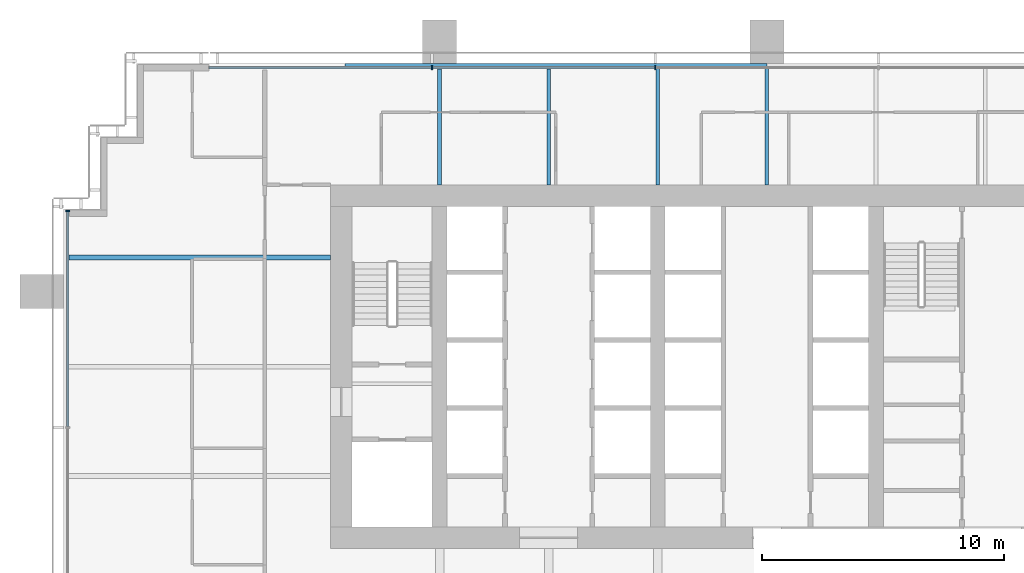
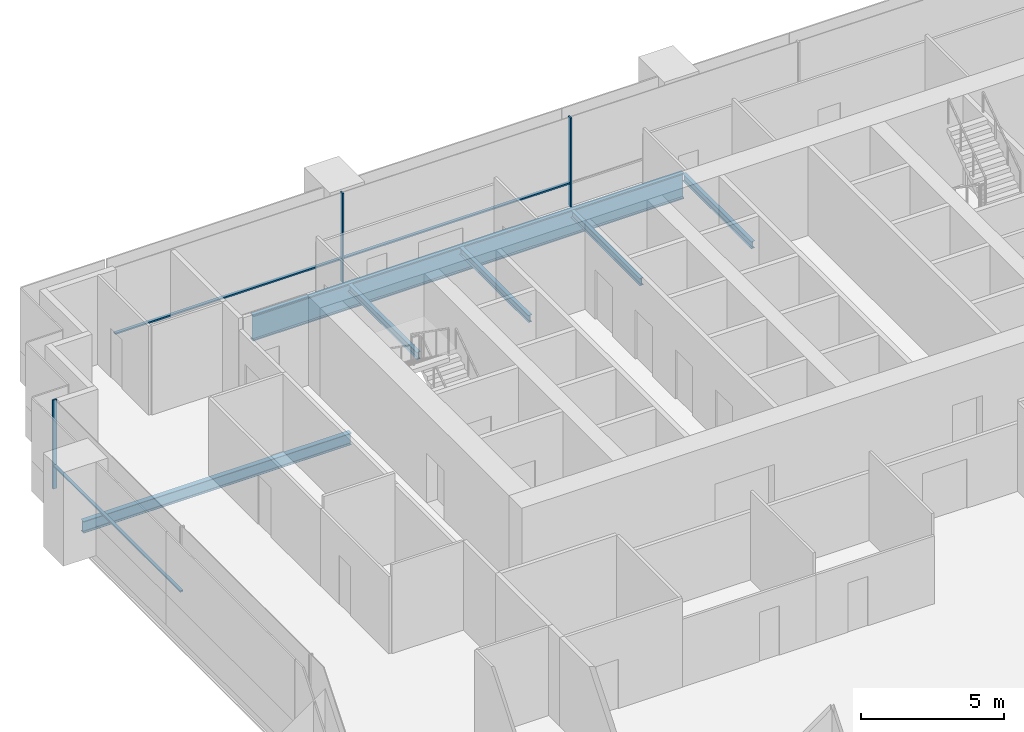
# One storey, part 7 of 18: 6 beams, 6 members, 2 elements without a shape of their own.
"""IFC4 building model written with IfcOpenShell, lengths in metres."""

import ifcopenshell
import ifcopenshell.guid

model = None  # the IFC model being written
_history = None  # IfcOwnerHistory: only IFC2X3 demands one
_inside = {}  # id of a spatial element -> (the spatial element, [elements in it])
_under = {}  # id of a project, library or spatial element -> (it, [spatial elements below it])
_declared = {}  # id of a project -> (the project, [libraries it declares])
_typed = {}  # id of a type object -> (the type object, [elements of that type])
_made_of = {}  # id of a material, layer set ... -> (it, [elements and type objects made of it])


def new_model(schema):
    """Start an empty IFC model of exactly this schema.

    Asked for "IFC4X3", IfcOpenShell would pick the latest addendum, in which some entities
    have other attributes; the version numbers below select the first issue.
    IFC2X3 requires an IfcOwnerHistory on every rooted entity: one is made here for all.
    """
    global model, _history
    if schema == "IFC4X3":
        model = ifcopenshell.file(schema_version=(4, 3, 0, 0))
    else:
        model = ifcopenshell.file(schema=schema)
    _inside.clear()
    _under.clear()
    _declared.clear()
    _typed.clear()
    _made_of.clear()
    _history = None
    if model.schema == "IFC2X3":
        org = make("IfcOrganization", Name="unknown")
        user = make(
            "IfcPersonAndOrganization",
            ThePerson=make("IfcPerson", FamilyName="unknown"),
            TheOrganization=org,
        )
        app = make(
            "IfcApplication",
            ApplicationDeveloper=org,
            Version="unknown",
            ApplicationFullName="unknown",
            ApplicationIdentifier="unknown",
        )
        _history = make(
            "IfcOwnerHistory",
            OwningUser=user,
            OwningApplication=app,
            ChangeAction="ADDED",
            CreationDate=0,
        )
    return model


def make(cls, **values):
    """One entity of the class cls with the attributes given. An attribute that is None is left unset."""
    return model.create_entity(
        cls, **{name: value for name, value in values.items() if value is not None}
    )


def rooted(cls, **values):
    """An entity with a GlobalId (a new one), such as an element, a storey or a relation."""
    return make(cls, GlobalId=ifcopenshell.guid.new(), OwnerHistory=_history, **values)


def si_unit(unit_type, name, prefix=None):
    """IfcSIUnit, for example si_unit("LENGTHUNIT", "METRE", prefix="MILLI")."""
    return make("IfcSIUnit", UnitType=unit_type, Prefix=prefix, Name=name)


def assignment(units):
    """IfcUnitAssignment: the units of a project."""
    return None if units is None else make("IfcUnitAssignment", Units=units)


def point(xyz):
    """IfcCartesianPoint."""
    return None if xyz is None else make("IfcCartesianPoint", Coordinates=xyz)


def direction(xyz):
    """IfcDirection."""
    return None if xyz is None else make("IfcDirection", DirectionRatios=xyz)


def frame(location, z_axis=None, x_axis=None):
    """IfcAxis2Placement3D, a coordinate frame: its origin and axes. An axis left out is left unset."""
    return make(
        "IfcAxis2Placement3D",
        Location=point(location),
        Axis=direction(z_axis),
        RefDirection=direction(x_axis),
    )


def frame_2d(location, x_axis=None):
    """IfcAxis2Placement2D, a coordinate frame in the plane: its origin and x axis."""
    return make(
        "IfcAxis2Placement2D", Location=point(location), RefDirection=direction(x_axis)
    )


def origin():
    """The frame at (0, 0, 0) with its axes left unset."""
    return frame((0.0, 0.0, 0.0))


def origin_2d():
    """The frame at (0, 0) in the plane with its x axis left unset."""
    return frame_2d((0.0, 0.0))


def place(relative_to, where):
    """IfcLocalPlacement: puts the frame where relative to a parent placement (None: the world)."""
    return make(
        "IfcLocalPlacement", PlacementRelTo=relative_to, RelativePlacement=where
    )


def context(
    kind, dimensions, precision=None, world=None, true_north=None, identifier=None
):
    """IfcGeometricRepresentationContext, for example the 3D "Model" context."""
    return make(
        "IfcGeometricRepresentationContext",
        ContextIdentifier=identifier,
        ContextType=kind,
        CoordinateSpaceDimension=dimensions,
        Precision=precision,
        WorldCoordinateSystem=world,
        TrueNorth=true_north,
    )


def subcontext(parent, identifier, kind, view, scale=None):
    """IfcGeometricRepresentationSubContext, for example "Body" below "Model"."""
    return make(
        "IfcGeometricRepresentationSubContext",
        ContextIdentifier=identifier,
        ContextType=kind,
        ParentContext=parent,
        TargetScale=scale,
        TargetView=view,
    )


def project(units=None, contexts=None):
    """IfcProject with its units and contexts."""
    return rooted(
        "IfcProject",
        Name="project",
        RepresentationContexts=contexts,
        UnitsInContext=assignment(units),
    )


def spatial(cls, under=None, at=None, **own):
    """A site, building, storey or space (cls), placed at a placement, below another one or the project."""
    s = rooted(cls, ObjectPlacement=at, **own)
    if under is not None:
        _under.setdefault(under.id(), (under, []))[1].append(s)
    return s


def profile(cls, at=None, kind="AREA", **sizes):
    """A parametric profile (cls). Its sizes go by their IFC names, for example OverallWidth=200.0."""
    return make(cls, ProfileType=kind, Position=at, **sizes)


def rectangle(**sizes):
    """IfcRectangleProfileDef."""
    return profile("IfcRectangleProfileDef", **sizes)


def i_section(**sizes):
    """IfcIShapeProfileDef."""
    return profile("IfcIShapeProfileDef", **sizes)


def extrude(swept, where, along, depth):
    """IfcExtrudedAreaSolid: the profile swept, set in the frame where, extruded along a direction by depth."""
    return make(
        "IfcExtrudedAreaSolid",
        SweptArea=swept,
        Position=where,
        ExtrudedDirection=direction(along),
        Depth=depth,
    )


def shape(context_of_items, identifier, shape_type, items):
    """IfcShapeRepresentation: the items that make up one representation, for example the "Body"."""
    return make(
        "IfcShapeRepresentation",
        ContextOfItems=context_of_items,
        RepresentationIdentifier=identifier,
        RepresentationType=shape_type,
        Items=items,
    )


def material(Name=None, Category=None):
    """IfcMaterial."""
    return make("IfcMaterial", Name=Name, Category=Category)


def material_profile(
    of_material, cross_section, Name=None, Category=None, Priority=None
):
    """IfcMaterialProfile: a cross section and its material."""
    return make(
        "IfcMaterialProfile",
        Name=Name,
        Material=of_material,
        Profile=cross_section,
        Priority=Priority,
        Category=Category,
    )


def profile_set(profiles, Name=None, composite=None):
    """IfcMaterialProfileSet."""
    return make(
        "IfcMaterialProfileSet",
        Name=Name,
        MaterialProfiles=profiles,
        CompositeProfile=composite,
    )


def made_of(thing, what):
    """Note that an element or type object is made of a material, layer set ...; save() writes the relation."""
    if what is not None:
        _made_of.setdefault(what.id(), (what, []))[1].append(thing)
    return thing


def type_object(cls, material=None, **own):
    """A type object (cls), such as IfcWallType, which elements share."""
    return made_of(rooted(cls, **own), material)


def element(
    cls,
    number,
    at=None,
    inside=None,
    cuts=None,
    type_object=None,
    material=None,
    context=None,
    identifier="Body",
    shape_type=None,
    held_by="IfcProductDefinitionShape",
    body=None,
    shapes=None,
    **own,
):
    """One element of the class cls, such as IfcWall. Its Tag is "e" and its number.

    at: its placement. inside: the storey or other place that contains it. cuts: it is an
    opening in that element (IfcRelVoidsElement). A single representation is given by context,
    identifier, shape_type and body (its items); several are given by shapes. held_by: the class
    of the entity that holds the representations. save() writes the other relations.
    """
    e = rooted(cls, Tag="e%d" % number, ObjectPlacement=at, **own)
    if body is not None:
        shapes = [shape(context, identifier, shape_type, body)]
    if shapes is not None:
        e.Representation = make(held_by, Representations=shapes)
    if inside is not None:
        _inside.setdefault(inside.id(), (inside, []))[1].append(e)
    if cuts is not None:
        rooted(
            "IfcRelVoidsElement", RelatingBuildingElement=cuts, RelatedOpeningElement=e
        )
    if type_object is not None:
        _typed.setdefault(type_object.id(), (type_object, []))[1].append(e)
    return made_of(e, material)


def aggregate(whole, parts):
    """IfcRelAggregates: a whole, such as a stair, and the parts it consists of."""
    return rooted("IfcRelAggregates", RelatingObject=whole, RelatedObjects=parts)


def save(model, path):
    """Write the relations noted so far, then the file.

    IfcRelAggregates (storeys below a building ...), IfcRelContainedInSpatialStructure (elements
    in a storey), IfcRelDefinesByType, IfcRelAssociatesMaterial and IfcRelDeclares: one each for
    every whole, place, type object, material and project.
    """
    for whole, parts in _under.values():
        aggregate(whole, parts)
    for where, things in _inside.values():
        rooted(
            "IfcRelContainedInSpatialStructure",
            RelatedElements=things,
            RelatingStructure=where,
        )
    for kind, things in _typed.values():
        rooted("IfcRelDefinesByType", RelatedObjects=things, RelatingType=kind)
    for what, things in _made_of.values():
        rooted("IfcRelAssociatesMaterial", RelatedObjects=things, RelatingMaterial=what)
    for by, libraries in _declared.values():
        rooted("IfcRelDeclares", RelatingContext=by, RelatedDefinitions=libraries)
    model.write(path)


model = new_model("IFC4")

# Units and contexts
model_context = context("Model", 3, precision=1e-05, world=origin(), true_north=direction((0.0, 1.0)))
body_context = subcontext(model_context, "Body", "Model", "MODEL_VIEW")
ifc_project = project(units=[si_unit("LENGTHUNIT", "METRE"), si_unit("AREAUNIT", "SQUARE_METRE"), si_unit("VOLUMEUNIT", "CUBIC_METRE"), si_unit("PLANEANGLEUNIT", "RADIAN"), si_unit("MASSUNIT", "GRAM", prefix="KILO")], contexts=[model_context])

# Site, building, storey
site_placement = place(None, origin())
site = spatial("IfcSite", under=ifc_project, at=site_placement, CompositionType="ELEMENT")
building_placement = place(site_placement, origin())
building = spatial("IfcBuilding", under=site, at=building_placement, Name="Rattan Terrace Tower", CompositionType="ELEMENT")
storey_placement = place(building_placement, frame((0.0, 0.0, 134.10009765625)))
storey = spatial("IfcBuildingStorey", under=building, at=storey_placement, Name="L30", CompositionType="ELEMENT", Elevation=134.10009765625)

# Curtain wall, members
ifc_material_1 = material(Name="Aluminium and glass", Category="aluminium")
curtain_wall_type = type_object("IfcCurtainWallType", Name="Facade Unitised Curtain Wall", PredefinedType="NOTDEFINED", material=ifc_material_1)
curtain_wall_1_placement = place(storey_placement, origin())
curtain_wall_1 = element("IfcCurtainWall", 1, at=curtain_wall_1_placement, inside=storey, type_object=curtain_wall_type, Name="Curtain wall L30-2", PredefinedType="NOTDEFINED")
ifc_material_2 = material(Name="Aluminium", Category="aluminium")
ifc_material_profile_1 = material_profile(ifc_material_2, rectangle(XDim=0.06005859375, YDim=0.159912109375, at=origin_2d()), Name="Aluminium 60x160")
ifc_profile_set_1 = profile_set([ifc_material_profile_1], Name="Aluminium")
member_type_1 = type_object("IfcMemberType", Name="Facade CW Mullion 60x160", PredefinedType="MULLION", material=ifc_profile_set_1)
member_1_placement = place(storey_placement, frame((-4.60302734375, 12.330078125, 0.0), z_axis=(0.0, 0.0, 1.0), x_axis=(-1.0, 0.0, 0.0)))
member_1 = element("IfcMember", 2, at=member_1_placement, type_object=member_type_1, Name="Mullion cwl-L30-002.4", PredefinedType="MULLION", context=body_context, shape_type="SweptSolid", body=[
    extrude(rectangle(XDim=0.06005859375, YDim=0.159912109375, at=origin_2d()), origin(), (0.0, 0.0, 1.0), 3.7998046875),
])
member_2_placement = place(storey_placement, frame((-13.803955078125, 12.330078125, 0.0), z_axis=(0.0, 0.0, 1.0), x_axis=(-1.0, 0.0, 0.0)))
member_2 = element("IfcMember", 3, at=member_2_placement, type_object=member_type_1, Name="Mullion cwl-L30-002.5", PredefinedType="MULLION", context=body_context, shape_type="SweptSolid", body=[
    extrude(rectangle(XDim=0.06005859375, YDim=0.159912109375, at=origin_2d()), origin(), (0.0, 0.0, 1.0), 3.7998046875),
])

# Curtain wall, member
curtain_wall_2_placement = place(storey_placement, origin())
curtain_wall_2 = element("IfcCurtainWall", 4, at=curtain_wall_2_placement, inside=storey, type_object=curtain_wall_type, Name="Curtain wall L30-3", PredefinedType="NOTDEFINED")
member_3_placement = place(storey_placement, frame((-28.830078125, 6.425048828125, 0.0), z_axis=(0.0, 0.0, 1.0), x_axis=(0.0, -1.0, 0.0)))
member_3 = element("IfcMember", 5, at=member_3_placement, type_object=member_type_1, Name="Mullion cwl-L30-003.1", PredefinedType="MULLION", context=body_context, shape_type="SweptSolid", body=[
    extrude(rectangle(XDim=0.06005859375, YDim=0.159912109375, at=origin_2d()), origin(), (0.0, 0.0, 1.0), 3.7998046875),
])

# Member
ifc_material_3 = material(Name="Aluminium", Category="aluminium")
ifc_material_profile_2 = material_profile(ifc_material_3, rectangle(XDim=0.1201171875, YDim=0.06005859375, at=origin_2d()), Name="Aluminium 120x60")
ifc_profile_set_2 = profile_set([ifc_material_profile_2], Name="Aluminium")
member_type_2 = type_object("IfcMemberType", Name="Facade CW Transom 120x60", PredefinedType="USERDEFINED", material=ifc_profile_set_2)
member_4_placement = place(storey_placement, frame((-4.633056640625, 12.330078125, 1.0), z_axis=(-1.0, 0.0, 0.0), x_axis=(0.0, -1.0, 0.0)))
member_4 = element("IfcMember", 6, at=member_4_placement, type_object=member_type_2, Name="Transom cwl-L30-002.4", ObjectType="TRANSOM", PredefinedType="USERDEFINED", context=body_context, shape_type="SweptSolid", body=[
    extrude(rectangle(XDim=0.1201171875, YDim=0.06005859375, at=origin_2d()), origin(), (0.0, 0.0, 1.0), 9.140869140625),
])

member_5_placement = place(storey_placement, frame((-13.833984375, 12.330078125, 1.0), z_axis=(-1.0, 0.0, 0.0), x_axis=(0.0, -1.0, 0.0)))
member_5 = element("IfcMember", 7, at=member_5_placement, type_object=member_type_2, Name="Transom cwl-L30-002.5", ObjectType="TRANSOM", PredefinedType="USERDEFINED", context=body_context, shape_type="SweptSolid", body=[
    extrude(rectangle(XDim=0.1201171875, YDim=0.06005859375, at=origin_2d()), origin(), (0.0, 0.0, 1.0), 9.166015625),
])

aggregate(curtain_wall_1, [member_1, member_2, member_4, member_5])

member_6_placement = place(storey_placement, frame((-28.830078125, 6.39501953125, 1.0), z_axis=(0.0, -1.0, 0.0), x_axis=(1.0, 0.0, 0.0)))
member_6 = element("IfcMember", 8, at=member_6_placement, type_object=member_type_2, Name="Transom cwl-L30-003.1", ObjectType="TRANSOM", PredefinedType="USERDEFINED", context=body_context, shape_type="SweptSolid", body=[
    extrude(rectangle(XDim=0.1201171875, YDim=0.06005859375, at=origin_2d()), origin(), (0.0, 0.0, 1.0), 8.864990234375),
])

aggregate(curtain_wall_2, [member_3, member_6])

# Beams
ifc_material_4 = material(Name="Steel S460", Category="steel")
ifc_material_profile_3 = material_profile(ifc_material_4, i_section(OverallWidth=0.179931640625, OverallDepth=1.10009765625, WebThickness=0.01611328125, FlangeThickness=0.050048828125, at=origin_2d()), Name="PG 1100x180-16-50")
ifc_profile_set_3 = profile_set([ifc_material_profile_3], Name="Steel S460")
beam_type_1 = type_object("IfcBeamType", Name="Frame edge girder PG 1100x180-16-50", PredefinedType="SPANDREL", material=ifc_profile_set_3)
beam_1_placement = place(storey_placement, frame((-17.39990234375, 12.409912109375, -0.75), z_axis=(1.0, 0.0, 0.0), x_axis=(0.0, 1.0, 0.0)))
element("IfcBeam", 9, at=beam_1_placement, inside=storey, type_object=beam_type_1, Name="gdr-L30-005", PredefinedType="SPANDREL", context=body_context, shape_type="SweptSolid", body=[
    extrude(i_section(OverallWidth=0.179931640625, OverallDepth=1.10009765625, WebThickness=0.01611328125, FlangeThickness=0.050048828125, at=origin_2d()), origin(), (0.0, 0.0, 1.0), 17.39990234375),
])
ifc_material_5 = material(Name="Steel S355", Category="steel")
ifc_material_profile_4 = material_profile(ifc_material_5, i_section(OverallWidth=0.14990234375, OverallDepth=0.300048828125, WebThickness=0.007080078125, FlangeThickness=0.0107421875, FilletRadius=0.014892578125, at=origin_2d()), Name="IPE 300")
ifc_profile_set_4 = profile_set([ifc_material_profile_4], Name="Steel S355")
beam_type_2 = type_object("IfcBeamType", Name="Frame floor beam IPE 300", PredefinedType="JOIST", material=ifc_profile_set_4)
for number, where, z_axis, x_axis, name in (
    (10, (-13.5, 7.5, -0.35009765625), (0.0, 1.0, 0.0), (-1.0, 0.0, 0.0), "bm-L30-016"),
    (11, (-9.0, 7.5, -0.35009765625), (0.0, 1.0, 0.0), (-1.0, 0.0, 0.0), "bm-L30-017"),
    (12, (-4.5, 7.5, -0.35009765625), (0.0, 1.0, 0.0), (-1.0, 0.0, 0.0), "bm-L30-018"),
    (13, (0.0, 7.5, -0.35009765625), (0.0, 1.0, 0.0), (-1.0, 0.0, 0.0), "bm-L30-019"),
):
    element("IfcBeam", number, at=place(storey_placement, frame(where, z_axis=z_axis, x_axis=x_axis)), inside=storey, type_object=beam_type_2, Name=name, PredefinedType="JOIST", context=body_context, shape_type="SweptSolid", body=[
        extrude(i_section(OverallWidth=0.14990234375, OverallDepth=0.300048828125, WebThickness=0.007080078125, FlangeThickness=0.0107421875, FilletRadius=0.014892578125, at=origin_2d()), origin(), (0.0, 0.0, 1.0), 4.820068359375),
    ])
ifc_material_6 = material(Name="Steel S355", Category="steel")
ifc_material_profile_5 = material_profile(ifc_material_6, i_section(OverallWidth=0.199951171875, OverallDepth=0.5, WebThickness=0.01025390625, FlangeThickness=0.01611328125, FilletRadius=0.02099609375, at=origin_2d()), Name="IPE 500")
ifc_profile_set_5 = profile_set([ifc_material_profile_5], Name="Steel S355")
beam_type_3 = type_object("IfcBeamType", Name="Frame floor beam IPE 500", PredefinedType="JOIST", material=ifc_profile_set_5)
beam_2_placement = place(storey_placement, frame((-28.820068359375, 4.5, -0.4501953125), z_axis=(1.0, 0.0, 0.0), x_axis=(0.0, 1.0, 0.0)))
element("IfcBeam", 14, at=beam_2_placement, inside=storey, type_object=beam_type_3, Name="bm-L30-014", PredefinedType="JOIST", context=body_context, shape_type="SweptSolid", body=[
    extrude(i_section(OverallWidth=0.199951171875, OverallDepth=0.5, WebThickness=0.01025390625, FlangeThickness=0.01611328125, FilletRadius=0.02099609375, at=origin_2d()), origin(), (0.0, 0.0, 1.0), 10.820068359375),
])

save(model, "model.ifc")
